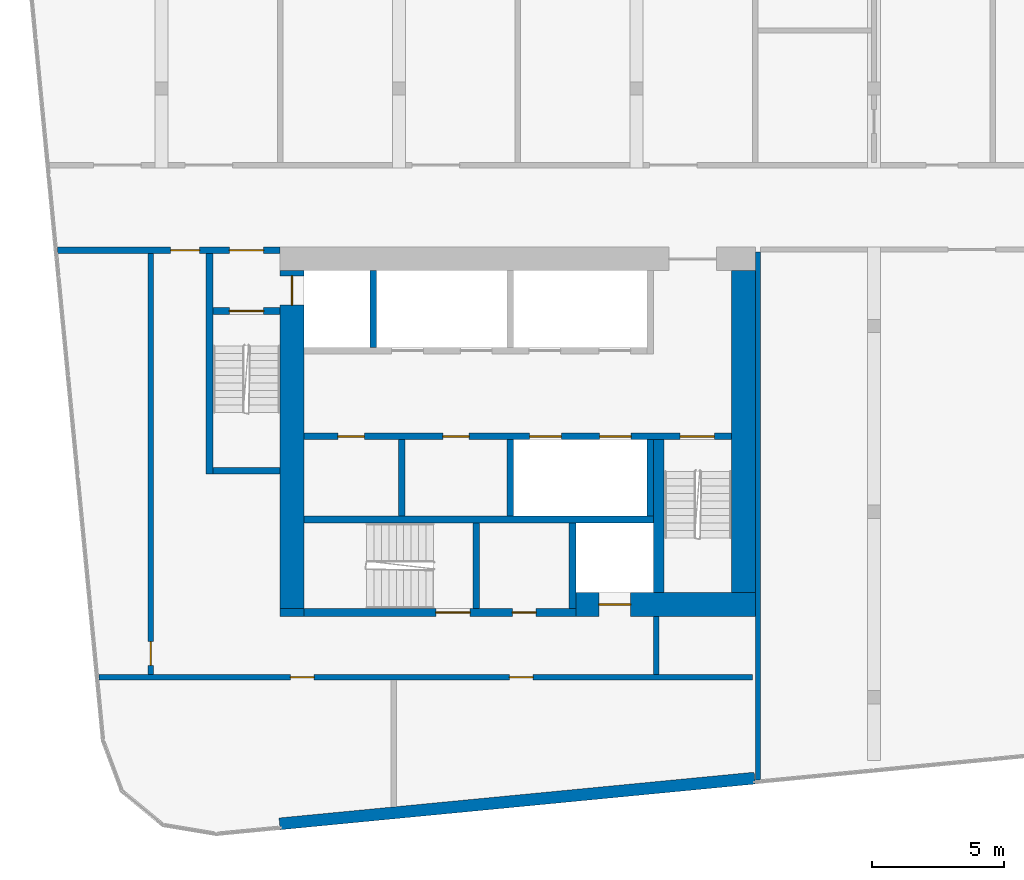
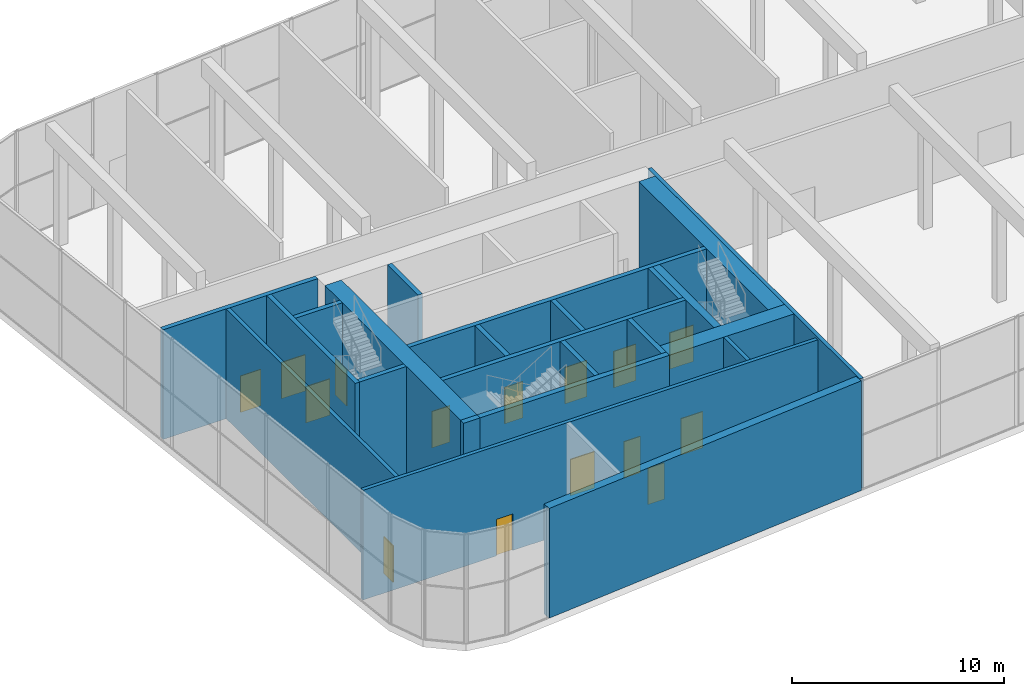
# One storey, part 12 of 24: 23 walls, 15 doors, 15 openings.
"""IFC4 building model written with IfcOpenShell, lengths in metres."""

from ifc_helpers import new_model, si_unit, direction, frame, frame_2d, origin, place, context, subcontext, project, spatial, rectangle, extrude, material, layer, layer_set, type_object, element, fill, save


model = new_model("IFC4")

# Units and contexts
model_context = context("Model", 3, precision=1e-05, world=origin(), true_north=direction((0.0, 1.0)))
body_context = subcontext(model_context, "Body", "Model", "MODEL_VIEW")
ifc_project = project(units=[si_unit("LENGTHUNIT", "METRE"), si_unit("AREAUNIT", "SQUARE_METRE"), si_unit("VOLUMEUNIT", "CUBIC_METRE"), si_unit("PLANEANGLEUNIT", "RADIAN"), si_unit("MASSUNIT", "GRAM", prefix="KILO")], contexts=[model_context])

# Site, building, storey
site_placement = place(None, origin())
site = spatial("IfcSite", under=ifc_project, at=site_placement, CompositionType="ELEMENT")
building_placement = place(site_placement, origin())
building = spatial("IfcBuilding", under=site, at=building_placement, Name="Kajstack Hotel Tower", CompositionType="ELEMENT")
storey_placement = place(building_placement, frame((0.0, 0.0, 261.89990234375)))
storey = spatial("IfcBuildingStorey", under=building, at=storey_placement, Name="L65", CompositionType="ELEMENT", Elevation=261.89990234375)

# Wall, opening, door
ifc_material_1 = material(Name="Concrete C60/75", Category="concrete")
ifc_layer_1 = layer(ifc_material_1, 0.89990234375)
ifc_layer_set_1 = layer_set([ifc_layer_1], Name="Core wall 900")
wall_type_1 = type_object("IfcWallType", Name="Core wall 900", PredefinedType="SHEAR", material=ifc_layer_set_1)
wall_1_placement = place(storey_placement, frame((-20.300048828125, -15.050048828125, 0.0), z_axis=(0.0, 0.0, 1.0), x_axis=(1.0, 0.0, 0.0)))
wall_1 = element("IfcWall", 1, at=wall_1_placement, inside=storey, type_object=wall_type_1, Name="Core wall W RS", PredefinedType="SHEAR", context=body_context, shape_type="SweptSolid", body=[
    extrude(rectangle(XDim=6.800048828125, YDim=0.89990234375, at=frame_2d((3.39990234375, 0.0))), origin(), (0.0, 0.0, 1.0), 6.320068359375),
])
opening_1_placement = place(wall_1_placement, frame((0.875, 0.0, 0.0)))
opening_1 = element("IfcOpeningElement", 2, at=opening_1_placement, cuts=wall_1, Name="Opening LD-SV1", PredefinedType="OPENING", context=body_context, shape_type="SweptSolid", body=[
    extrude(rectangle(XDim=1.199951171875, YDim=2.10009765625, at=frame_2d((0.60009765625, 1.050048828125))), frame((0.0, 0.4599609375, 0.0), z_axis=(0.0, -1.0, 0.0), x_axis=(1.0, 0.0, 0.0)), (0.0, 0.0, 1.0), 0.919921875),
])
ifc_material_2 = material(Name="Stainless steel", Category="steel")
door_type_1 = type_object("IfcDoorType", Name="Lift landing door 1200", OperationType="SLIDING_TO_LEFT", PredefinedType="DOOR", material=ifc_material_2)
door_1_placement = place(opening_1_placement, origin())
door_1 = element("IfcDoor", 3, at=door_1_placement, inside=storey, type_object=door_type_1, Name="Landing door SV1", OperationType="SLIDING_TO_LEFT", OverallHeight=2.10009765625, OverallWidth=1.199951171875, PredefinedType="DOOR", context=body_context, shape_type="SweptSolid", body=[
    extrude(rectangle(XDim=1.199951171875, YDim=2.10009765625, at=frame_2d((0.60009765625, 1.050048828125))), frame((0.0, 0.02490234375, 0.0), z_axis=(0.0, -1.0, 0.0), x_axis=(1.0, 0.0, 0.0)), (0.0, 0.0, 1.0), 0.050048828125),
])
fill(opening_1, door_1)

# Wall
wall_2_placement = place(storey_placement, frame((-31.5, -15.35009765625, 0.0), z_axis=(0.0, 0.0, 1.0), x_axis=(1.0, 0.0, 0.0)))
element("IfcWall", 4, at=wall_2_placement, inside=storey, type_object=wall_type_1, Name="Core wall W RSW", PredefinedType="SHEAR", context=body_context, shape_type="SweptSolid", body=[
    extrude(rectangle(XDim=0.89990234375, YDim=0.300048828125, at=frame_2d((0.449951171875, 0.0))), origin(), (0.0, 0.0, 1.0), 6.320068359375),
])

# Wall, opening, door
wall_3_placement = place(storey_placement, frame((-31.050048828125, -15.199951171875, 0.0), z_axis=(0.0, 0.0, 1.0), x_axis=(0.0, 1.0, 0.0)))
wall_3 = element("IfcWall", 5, at=wall_3_placement, inside=storey, type_object=wall_type_1, Name="Core wall W RW", PredefinedType="SHEAR", context=body_context, shape_type="SweptSolid", body=[
    extrude(rectangle(XDim=12.800048828125, YDim=0.89990234375, at=frame_2d((6.39990234375, 0.0))), origin(), (0.0, 0.0, 1.0), 6.320068359375),
])
opening_2_placement = place(wall_3_placement, frame((11.5, 0.0, 0.0)))
opening_2 = element("IfcOpeningElement", 6, at=opening_2_placement, cuts=wall_3, Name="Opening LD-FF1", PredefinedType="OPENING", context=body_context, shape_type="SweptSolid", body=[
    extrude(rectangle(XDim=1.10009765625, YDim=2.10009765625, at=frame_2d((0.550048828125, 1.050048828125))), frame((0.0, 0.4599609375, 0.0), z_axis=(0.0, -1.0, 0.0), x_axis=(1.0, 0.0, 0.0)), (0.0, 0.0, 1.0), 0.919921875),
])
door_type_2 = type_object("IfcDoorType", Name="Fire-fighting lift landing door 1100", OperationType="SLIDING_TO_LEFT", PredefinedType="DOOR", material=ifc_material_2)
door_2_placement = place(opening_2_placement, origin())
door_2 = element("IfcDoor", 7, at=door_2_placement, inside=storey, type_object=door_type_2, Name="Landing door FF1", OperationType="SLIDING_TO_RIGHT", OverallHeight=2.10009765625, OverallWidth=1.10009765625, PredefinedType="DOOR", context=body_context, shape_type="SweptSolid", body=[
    extrude(rectangle(XDim=1.10009765625, YDim=2.10009765625, at=frame_2d((0.550048828125, 1.050048828125))), frame((0.0, 0.02490234375, 0.0), z_axis=(0.0, -1.0, 0.0), x_axis=(1.0, 0.0, 0.0)), (0.0, 0.0, 1.0), 0.050048828125),
])
fill(opening_2, door_2)

# Walls
wall_4_placement = place(storey_placement, frame((-13.949951171875, -14.60009765625, 0.0), z_axis=(0.0, 0.0, 1.0), x_axis=(0.0, 1.0, 0.0)))
element("IfcWall", 8, at=wall_4_placement, inside=storey, type_object=wall_type_1, Name="Core wall W RE", PredefinedType="SHEAR", context=body_context, shape_type="SweptSolid", body=[
    extrude(rectangle(XDim=12.2001953125, YDim=0.89990234375, at=frame_2d((6.10009765625, 0.0))), origin(), (0.0, 0.0, 1.0), 6.320068359375),
])
ifc_material_3 = material(Name="Concrete C40/50", Category="concrete")
ifc_layer_2 = layer(ifc_material_3, 0.449951171875)
ifc_layer_set_2 = layer_set([ifc_layer_2], Name="EW-CORE")
wall_type_2 = type_object("IfcWallType", Name="EW-CORE", PredefinedType="SOLIDWALL", material=ifc_layer_set_2)
wall_5_placement = place(storey_placement, frame((-31.521484375, -23.357177734375, 0.0), z_axis=(0.0, 0.0, 1.0), x_axis=(0.995396454615, 0.095843091245, 0.0)))
element("IfcWall", 9, at=wall_5_placement, inside=storey, type_object=wall_type_2, Name="E-wall-L65-04-01", PredefinedType="SOLIDWALL", context=body_context, shape_type="SweptSolid", body=[
    extrude(rectangle(XDim=18.083251953125, YDim=0.449951171875, at=frame_2d((9.04150390625, 0.0))), origin(), (0.0, 0.0, 1.0), 6.320068359375),
])
ifc_material_4 = material(Name="Concrete C50/60", Category="concrete")
ifc_layer_3 = layer(ifc_material_4, 0.300048828125)
ifc_layer_set_3 = layer_set([ifc_layer_3], Name="Hoistway divider wall 300")
wall_type_3 = type_object("IfcWallType", Name="Hoistway divider wall 300", PredefinedType="SHEAR", material=ifc_layer_set_3)
wall_6_placement = place(storey_placement, frame((-22.77490234375, -11.699951171875, 0.0), z_axis=(0.0, 0.0, 1.0), x_axis=(0.0, 1.0, 0.0)))
element("IfcWall", 10, at=wall_6_placement, inside=storey, type_object=wall_type_3, Name="Core wall W BP2", PredefinedType="SHEAR", context=body_context, shape_type="SweptSolid", body=[
    extrude(rectangle(XDim=2.89990234375, YDim=0.25, at=frame_2d((1.449951171875, 0.0))), origin(), (0.0, 0.0, 1.0), 6.320068359375),
])
ifc_material_5 = material(Name="Gypsum board on steel studs, mineral wool", Category="steel")
ifc_layer_4 = layer(ifc_material_5, 0.199951171875)
ifc_layer_set_4 = layer_set([ifc_layer_4], Name="Public partition 200")
wall_type_4 = type_object("IfcWallType", Name="Public partition 200", PredefinedType="PARTITIONING", material=ifc_layer_set_4)
wall_7_placement = place(storey_placement, frame((-13.39990234375, -21.687744140625, 0.0), z_axis=(0.0, 0.0, 1.0), x_axis=(0.0, 1.0, 0.0)))
element("IfcWall", 11, at=wall_7_placement, inside=storey, type_object=wall_type_4, Name="Partition SEW", PredefinedType="PARTITIONING", context=body_context, shape_type="SweptSolid", body=[
    extrude(rectangle(XDim=19.98779296875, YDim=0.199951171875, at=frame_2d((9.993896484375, 0.0))), origin(), (0.0, 0.0, 1.0), 6.320068359375),
])
ifc_material_6 = material(Name="Concrete block masonry", Category="masonry")
ifc_layer_5 = layer(ifc_material_6, 0.25)
ifc_layer_set_5 = layer_set([ifc_layer_5], Name="Riser partition 250")
wall_type_5 = type_object("IfcWallType", Name="Riser partition 250", PredefinedType="PARTITIONING", material=ifc_layer_set_5)
wall_8_placement = place(storey_placement, frame((-26.89990234375, -11.699951171875, 0.0), z_axis=(0.0, 0.0, 1.0), x_axis=(0.0, 1.0, 0.0)))
element("IfcWall", 12, at=wall_8_placement, inside=storey, type_object=wall_type_5, Name="Partition W BF0", PredefinedType="PARTITIONING", context=body_context, shape_type="SweptSolid", body=[
    extrude(rectangle(XDim=2.89990234375, YDim=0.25, at=frame_2d((1.449951171875, 0.0))), origin(), (0.0, 0.0, 1.0), 6.320068359375),
])

# Wall, openings, doors
ifc_layer_6 = layer(ifc_material_5, 0.199951171875)
ifc_layer_set_6 = layer_set([ifc_layer_6], Name="Service partition 200")
wall_type_6 = type_object("IfcWallType", Name="Service partition 200", PredefinedType="PARTITIONING", material=ifc_layer_set_6)
wall_9_placement = place(storey_placement, frame((-39.9287109375, -1.625, 0.0), z_axis=(0.0, 0.0, 1.0), x_axis=(1.0, 0.0, 0.0)))
wall_9 = element("IfcWall", 13, at=wall_9_placement, inside=storey, type_object=wall_type_6, Name="Partition W SN", PredefinedType="PARTITIONING", context=body_context, shape_type="SweptSolid", body=[
    extrude(rectangle(XDim=8.4287109375, YDim=0.25, at=frame_2d((4.21435546875, 0.0))), origin(), (0.0, 0.0, 1.0), 6.320068359375),
])
opening_3_placement = place(wall_9_placement, frame((6.503662109375, 0.0, 0.0)))
opening_3 = element("IfcOpeningElement", 14, at=opening_3_placement, cuts=wall_9, Name="Opening 65W10", PredefinedType="OPENING", context=body_context, shape_type="SweptSolid", body=[
    extrude(rectangle(XDim=1.300048828125, YDim=2.10009765625, at=frame_2d((0.64990234375, 1.050048828125))), frame((0.0, 0.135009765625, 0.0), z_axis=(0.0, -1.0, 0.0), x_axis=(1.0, 0.0, 0.0)), (0.0, 0.0, 1.0), 0.27001953125),
])
opening_4_placement = place(wall_9_placement, frame((4.27880859375, 0.0, 0.0)))
opening_4 = element("IfcOpeningElement", 15, at=opening_4_placement, cuts=wall_9, Name="Opening 65W12", PredefinedType="OPENING", context=body_context, shape_type="SweptSolid", body=[
    extrude(rectangle(XDim=1.10009765625, YDim=2.10009765625, at=frame_2d((0.550048828125, 1.050048828125))), frame((0.0, 0.135009765625, 0.0), z_axis=(0.0, -1.0, 0.0), x_axis=(1.0, 0.0, 0.0)), (0.0, 0.0, 1.0), 0.27001953125),
])
ifc_material_7 = material(Name="Steel leaf, fire-rated", Category="steel")
door_type_3 = type_object("IfcDoorType", Name="Fire lobby door 1300", OperationType="SINGLE_SWING_LEFT", PredefinedType="DOOR", material=ifc_material_7)
door_3_placement = place(opening_3_placement, origin())
door_3 = element("IfcDoor", 16, at=door_3_placement, inside=storey, type_object=door_type_3, Name="Door 65W10", OperationType="SINGLE_SWING_RIGHT", OverallHeight=2.10009765625, OverallWidth=1.300048828125, PredefinedType="DOOR", context=body_context, shape_type="SweptSolid", body=[
    extrude(rectangle(XDim=1.300048828125, YDim=2.10009765625, at=frame_2d((0.64990234375, 1.050048828125))), frame((0.0, 0.02490234375, 0.0), z_axis=(0.0, -1.0, 0.0), x_axis=(1.0, 0.0, 0.0)), (0.0, 0.0, 1.0), 0.050048828125),
])
fill(opening_3, door_3)
ifc_material_8 = material(Name="Timber leaf, fire-rated", Category="wood")
door_type_4 = type_object("IfcDoorType", Name="Service corridor door 1100", OperationType="SINGLE_SWING_LEFT", PredefinedType="DOOR", material=ifc_material_8)
door_4_placement = place(opening_4_placement, origin())
door_4 = element("IfcDoor", 17, at=door_4_placement, inside=storey, type_object=door_type_4, Name="Door 65W12", OperationType="SINGLE_SWING_RIGHT", OverallHeight=2.10009765625, OverallWidth=1.10009765625, PredefinedType="DOOR", context=body_context, shape_type="SweptSolid", body=[
    extrude(rectangle(XDim=1.10009765625, YDim=2.10009765625, at=frame_2d((0.550048828125, 1.050048828125))), frame((0.0, 0.02490234375, 0.0), z_axis=(0.0, -1.0, 0.0), x_axis=(1.0, 0.0, 0.0)), (0.0, 0.0, 1.0), 0.050048828125),
])
fill(opening_4, door_4)

# Wall
wall_10_placement = place(storey_placement, frame((-17.25, -17.699951171875, 0.0), z_axis=(0.0, 0.0, 1.0), x_axis=(0.0, 1.0, 0.0)))
element("IfcWall", 18, at=wall_10_placement, inside=storey, type_object=wall_type_6, Name="Partition W SCE", PredefinedType="PARTITIONING", context=body_context, shape_type="SweptSolid", body=[
    extrude(rectangle(XDim=2.199951171875, YDim=0.199951171875, at=frame_2d((1.10009765625, 0.0))), origin(), (0.0, 0.0, 1.0), 6.320068359375),
])

# Wall, opening, door
wall_11_placement = place(storey_placement, frame((-36.39990234375, -17.699951171875, 0.0), z_axis=(0.0, 0.0, 1.0), x_axis=(0.0, 1.0, 0.0)))
wall_11 = element("IfcWall", 19, at=wall_11_placement, inside=storey, type_object=wall_type_6, Name="Partition W WRE", PredefinedType="PARTITIONING", context=body_context, shape_type="SweptSolid", body=[
    extrude(rectangle(XDim=15.949951171875, YDim=0.199951171875, at=frame_2d((7.97509765625, 0.0))), origin(), (0.0, 0.0, 1.0), 6.320068359375),
])
opening_5_placement = place(wall_11_placement, frame((0.35009765625, 0.0, 0.0)))
opening_5 = element("IfcOpeningElement", 20, at=opening_5_placement, cuts=wall_11, Name="Opening 65W20", PredefinedType="OPENING", context=body_context, shape_type="SweptSolid", body=[
    extrude(rectangle(XDim=0.89990234375, YDim=2.10009765625, at=frame_2d((0.449951171875, 1.050048828125))), frame((0.0, 0.10986328125, 0.0), z_axis=(0.0, -1.0, 0.0), x_axis=(1.0, 0.0, 0.0)), (0.0, 0.0, 1.0), 0.219970703125),
])
door_type_5 = type_object("IfcDoorType", Name="Service door 900", OperationType="SINGLE_SWING_LEFT", PredefinedType="DOOR", material=ifc_material_8)
door_5_placement = place(opening_5_placement, origin())
door_5 = element("IfcDoor", 21, at=door_5_placement, inside=storey, type_object=door_type_5, Name="Door 65W20", OperationType="SINGLE_SWING_LEFT", OverallHeight=2.10009765625, OverallWidth=0.89990234375, PredefinedType="DOOR", context=body_context, shape_type="SweptSolid", body=[
    extrude(rectangle(XDim=0.89990234375, YDim=2.10009765625, at=frame_2d((0.449951171875, 1.050048828125))), frame((0.0, 0.02490234375, 0.0), z_axis=(0.0, -1.0, 0.0), x_axis=(1.0, 0.0, 0.0)), (0.0, 0.0, 1.0), 0.050048828125),
])
fill(opening_5, door_5)

# Wall, openings, doors
wall_12_placement = place(storey_placement, frame((-38.37109375, -17.800048828125, 0.0), z_axis=(0.0, 0.0, 1.0), x_axis=(1.0, 0.0, 0.0)))
wall_12 = element("IfcWall", 22, at=wall_12_placement, inside=storey, type_object=wall_type_6, Name="Partition W SLN", PredefinedType="PARTITIONING", context=body_context, shape_type="SweptSolid", body=[
    extrude(rectangle(XDim=24.77099609375, YDim=0.199951171875, at=frame_2d((12.385498046875, 0.0))), origin(), (0.0, 0.0, 1.0), 6.320068359375),
])
opening_6_placement = place(wall_12_placement, frame((7.2587890625, 0.0, 0.0)))
opening_6 = element("IfcOpeningElement", 23, at=opening_6_placement, cuts=wall_12, Name="Opening 65W18", PredefinedType="OPENING", context=body_context, shape_type="SweptSolid", body=[
    extrude(rectangle(XDim=0.89990234375, YDim=2.10009765625, at=frame_2d((0.449951171875, 1.050048828125))), frame((0.0, 0.10986328125, 0.0), z_axis=(0.0, -1.0, 0.0), x_axis=(1.0, 0.0, 0.0)), (0.0, 0.0, 1.0), 0.219970703125),
])
opening_7_placement = place(wall_12_placement, frame((15.55859375, 0.0, 0.0)))
opening_7 = element("IfcOpeningElement", 24, at=opening_7_placement, cuts=wall_12, Name="Opening 65W19", PredefinedType="OPENING", context=body_context, shape_type="SweptSolid", body=[
    extrude(rectangle(XDim=0.89990234375, YDim=2.10009765625, at=frame_2d((0.449951171875, 1.050048828125))), frame((0.0, 0.10986328125, 0.0), z_axis=(0.0, -1.0, 0.0), x_axis=(1.0, 0.0, 0.0)), (0.0, 0.0, 1.0), 0.219970703125),
])
door_6_placement = place(opening_6_placement, origin())
door_6 = element("IfcDoor", 25, at=door_6_placement, inside=storey, type_object=door_type_5, Name="Door 65W18", OperationType="SINGLE_SWING_RIGHT", OverallHeight=2.10009765625, OverallWidth=0.89990234375, PredefinedType="DOOR", context=body_context, shape_type="SweptSolid", body=[
    extrude(rectangle(XDim=0.89990234375, YDim=2.10009765625, at=frame_2d((0.449951171875, 1.050048828125))), frame((0.0, 0.02490234375, 0.0), z_axis=(0.0, -1.0, 0.0), x_axis=(1.0, 0.0, 0.0)), (0.0, 0.0, 1.0), 0.050048828125),
])
fill(opening_6, door_6)
door_7_placement = place(opening_7_placement, origin())
door_7 = element("IfcDoor", 26, at=door_7_placement, inside=storey, type_object=door_type_5, Name="Door 65W19", OperationType="SINGLE_SWING_RIGHT", OverallHeight=2.10009765625, OverallWidth=0.89990234375, PredefinedType="DOOR", context=body_context, shape_type="SweptSolid", body=[
    extrude(rectangle(XDim=0.89990234375, YDim=2.10009765625, at=frame_2d((0.449951171875, 1.050048828125))), frame((0.0, 0.02490234375, 0.0), z_axis=(0.0, -1.0, 0.0), x_axis=(1.0, 0.0, 0.0)), (0.0, 0.0, 1.0), 0.050048828125),
])
fill(opening_7, door_7)

ifc_layer_7 = layer(ifc_material_4, 0.25)
ifc_layer_set_7 = layer_set([ifc_layer_7], Name="Shaft wall 250")
wall_type_7 = type_object("IfcWallType", Name="Shaft wall 250", PredefinedType="SHEAR", material=ifc_layer_set_7)
wall_13_placement = place(storey_placement, frame((-30.60009765625, -15.35009765625, 0.0), z_axis=(0.0, 0.0, 1.0), x_axis=(1.0, 0.0, 0.0)))
wall_13 = element("IfcWall", 27, at=wall_13_placement, inside=storey, type_object=wall_type_7, Name="Core wall W RSS", PredefinedType="SHEAR", context=body_context, shape_type="SweptSolid", body=[
    extrude(rectangle(XDim=10.300048828125, YDim=0.300048828125, at=frame_2d((5.14990234375, 0.0))), origin(), (0.0, 0.0, 1.0), 6.320068359375),
])
opening_8_placement = place(wall_13_placement, frame((5.0, 0.0, 0.0)))
opening_8 = element("IfcOpeningElement", 28, at=opening_8_placement, cuts=wall_13, Name="Opening 65W14", PredefinedType="OPENING", context=body_context, shape_type="SweptSolid", body=[
    extrude(rectangle(XDim=1.300048828125, YDim=2.10009765625, at=frame_2d((0.64990234375, 1.050048828125))), frame((0.0, 0.159912109375, 0.0), z_axis=(0.0, -1.0, 0.0), x_axis=(1.0, 0.0, 0.0)), (0.0, 0.0, 1.0), 0.320068359375),
])
opening_9_placement = place(wall_13_placement, frame((7.89990234375, 0.0, 0.0)))
opening_9 = element("IfcOpeningElement", 29, at=opening_9_placement, cuts=wall_13, Name="Opening 65W15", PredefinedType="OPENING", context=body_context, shape_type="SweptSolid", body=[
    extrude(rectangle(XDim=0.89990234375, YDim=2.10009765625, at=frame_2d((0.449951171875, 1.050048828125))), frame((0.0, 0.159912109375, 0.0), z_axis=(0.0, -1.0, 0.0), x_axis=(1.0, 0.0, 0.0)), (0.0, 0.0, 1.0), 0.320068359375),
])
door_8_placement = place(opening_9_placement, origin())
door_8 = element("IfcDoor", 30, at=door_8_placement, inside=storey, type_object=door_type_5, Name="Door 65W15", OperationType="SINGLE_SWING_LEFT", OverallHeight=2.10009765625, OverallWidth=0.89990234375, PredefinedType="DOOR", context=body_context, shape_type="SweptSolid", body=[
    extrude(rectangle(XDim=0.89990234375, YDim=2.10009765625, at=frame_2d((0.449951171875, 1.050048828125))), frame((0.0, 0.02490234375, 0.0), z_axis=(0.0, -1.0, 0.0), x_axis=(1.0, 0.0, 0.0)), (0.0, 0.0, 1.0), 0.050048828125),
])
fill(opening_9, door_8)
door_type_6 = type_object("IfcDoorType", Name="Stair door 1300", OperationType="SINGLE_SWING_LEFT", PredefinedType="DOOR", material=ifc_material_7)
door_9_placement = place(opening_8_placement, origin())
door_9 = element("IfcDoor", 31, at=door_9_placement, inside=storey, type_object=door_type_6, Name="Door 65W14", OperationType="SINGLE_SWING_RIGHT", OverallHeight=2.10009765625, OverallWidth=1.300048828125, PredefinedType="DOOR", context=body_context, shape_type="SweptSolid", body=[
    extrude(rectangle(XDim=1.300048828125, YDim=2.10009765625, at=frame_2d((0.64990234375, 1.050048828125))), frame((0.0, 0.02490234375, 0.0), z_axis=(0.0, -1.0, 0.0), x_axis=(1.0, 0.0, 0.0)), (0.0, 0.0, 1.0), 0.050048828125),
])
fill(opening_8, door_9)

# Wall
wall_14_placement = place(storey_placement, frame((-27.97509765625, -5.300048828125, 0.0), z_axis=(0.0, 0.0, 1.0), x_axis=(0.0, 1.0, 0.0)))
element("IfcWall", 32, at=wall_14_placement, inside=storey, type_object=wall_type_7, Name="Core wall W AP0", PredefinedType="SHEAR", context=body_context, shape_type="SweptSolid", body=[
    extrude(rectangle(XDim=2.900146484375, YDim=0.25, at=frame_2d((1.4501953125, 0.0))), origin(), (0.0, 0.0, 1.0), 6.320068359375),
])

# Wall, openings, doors
wall_15_placement = place(storey_placement, frame((-30.60009765625, -8.675048828125, 0.0), z_axis=(0.0, 0.0, 1.0), x_axis=(1.0, 0.0, 0.0)))
wall_15 = element("IfcWall", 33, at=wall_15_placement, inside=storey, type_object=wall_type_7, Name="Core wall W FB", PredefinedType="SHEAR", context=body_context, shape_type="SweptSolid", body=[
    extrude(rectangle(XDim=16.2001953125, YDim=0.25, at=frame_2d((8.10009765625, 0.0))), origin(), (0.0, 0.0, 1.0), 6.320068359375),
])
opening_10_placement = place(wall_15_placement, frame((8.550048828125, 0.0, 0.0)))
opening_10 = element("IfcOpeningElement", 34, at=opening_10_placement, cuts=wall_15, Name="Opening LD-MR1", PredefinedType="OPENING", context=body_context, shape_type="SweptSolid", body=[
    extrude(rectangle(XDim=1.199951171875, YDim=2.10009765625, at=frame_2d((0.60009765625, 1.050048828125))), frame((0.0, 0.135009765625, 0.0), z_axis=(0.0, -1.0, 0.0), x_axis=(1.0, 0.0, 0.0)), (0.0, 0.0, 1.0), 0.27001953125),
])
opening_11_placement = place(wall_15_placement, frame((11.199951171875, 0.0, 0.0)))
opening_11 = element("IfcOpeningElement", 35, at=opening_11_placement, cuts=wall_15, Name="Opening LD-MR2", PredefinedType="OPENING", context=body_context, shape_type="SweptSolid", body=[
    extrude(rectangle(XDim=1.199951171875, YDim=2.10009765625, at=frame_2d((0.60009765625, 1.050048828125))), frame((0.0, 0.135009765625, 0.0), z_axis=(0.0, -1.0, 0.0), x_axis=(1.0, 0.0, 0.0)), (0.0, 0.0, 1.0), 0.27001953125),
])
opening_12_placement = place(wall_15_placement, frame((14.25, 0.0, 0.0)))
opening_12 = element("IfcOpeningElement", 36, at=opening_12_placement, cuts=wall_15, Name="Opening 65W13", PredefinedType="OPENING", context=body_context, shape_type="SweptSolid", body=[
    extrude(rectangle(XDim=1.300048828125, YDim=2.10009765625, at=frame_2d((0.64990234375, 1.050048828125))), frame((0.0, 0.135009765625, 0.0), z_axis=(0.0, -1.0, 0.0), x_axis=(1.0, 0.0, 0.0)), (0.0, 0.0, 1.0), 0.27001953125),
])
opening_13_placement = place(wall_15_placement, frame((1.28759765625, 0.0, 0.0)))
opening_13 = element("IfcOpeningElement", 37, at=opening_13_placement, cuts=wall_15, Name="Opening 65W16", PredefinedType="OPENING", context=body_context, shape_type="SweptSolid", body=[
    extrude(rectangle(XDim=1.0, YDim=2.10009765625, at=frame_2d((0.5, 1.050048828125))), frame((0.0, 0.135009765625, 0.0), z_axis=(0.0, -1.0, 0.0), x_axis=(1.0, 0.0, 0.0)), (0.0, 0.0, 1.0), 0.27001953125),
])
opening_14_placement = place(wall_15_placement, frame((5.262451171875, 0.0, 0.0)))
opening_14 = element("IfcOpeningElement", 38, at=opening_14_placement, cuts=wall_15, Name="Opening 65W17", PredefinedType="OPENING", context=body_context, shape_type="SweptSolid", body=[
    extrude(rectangle(XDim=1.0, YDim=2.10009765625, at=frame_2d((0.5, 1.050048828125))), frame((0.0, 0.135009765625, 0.0), z_axis=(0.0, -1.0, 0.0), x_axis=(1.0, 0.0, 0.0)), (0.0, 0.0, 1.0), 0.27001953125),
])
door_10_placement = place(opening_10_placement, origin())
door_10 = element("IfcDoor", 39, at=door_10_placement, inside=storey, type_object=door_type_1, Name="Landing door MR1", OperationType="SLIDING_TO_LEFT", OverallHeight=2.10009765625, OverallWidth=1.199951171875, PredefinedType="DOOR", context=body_context, shape_type="SweptSolid", body=[
    extrude(rectangle(XDim=1.199951171875, YDim=2.10009765625, at=frame_2d((0.60009765625, 1.050048828125))), frame((0.0, 0.02490234375, 0.0), z_axis=(0.0, -1.0, 0.0), x_axis=(1.0, 0.0, 0.0)), (0.0, 0.0, 1.0), 0.050048828125),
])
fill(opening_10, door_10)
door_11_placement = place(opening_11_placement, origin())
door_11 = element("IfcDoor", 40, at=door_11_placement, inside=storey, type_object=door_type_1, Name="Landing door MR2", OperationType="SLIDING_TO_RIGHT", OverallHeight=2.10009765625, OverallWidth=1.199951171875, PredefinedType="DOOR", context=body_context, shape_type="SweptSolid", body=[
    extrude(rectangle(XDim=1.199951171875, YDim=2.10009765625, at=frame_2d((0.60009765625, 1.050048828125))), frame((0.0, 0.02490234375, 0.0), z_axis=(0.0, -1.0, 0.0), x_axis=(1.0, 0.0, 0.0)), (0.0, 0.0, 1.0), 0.050048828125),
])
fill(opening_11, door_11)
door_type_7 = type_object("IfcDoorType", Name="Service room door 1000", OperationType="SINGLE_SWING_LEFT", PredefinedType="DOOR", material=ifc_material_8)
door_12_placement = place(opening_13_placement, origin())
door_12 = element("IfcDoor", 41, at=door_12_placement, inside=storey, type_object=door_type_7, Name="Door 65W16", OperationType="SINGLE_SWING_RIGHT", OverallHeight=2.10009765625, OverallWidth=1.0, PredefinedType="DOOR", context=body_context, shape_type="SweptSolid", body=[
    extrude(rectangle(XDim=1.0, YDim=2.10009765625, at=frame_2d((0.5, 1.050048828125))), frame((0.0, 0.02490234375, 0.0), z_axis=(0.0, -1.0, 0.0), x_axis=(1.0, 0.0, 0.0)), (0.0, 0.0, 1.0), 0.050048828125),
])
fill(opening_13, door_12)
door_13_placement = place(opening_14_placement, origin())
door_13 = element("IfcDoor", 42, at=door_13_placement, inside=storey, type_object=door_type_7, Name="Door 65W17", OperationType="SINGLE_SWING_RIGHT", OverallHeight=2.10009765625, OverallWidth=1.0, PredefinedType="DOOR", context=body_context, shape_type="SweptSolid", body=[
    extrude(rectangle(XDim=1.0, YDim=2.10009765625, at=frame_2d((0.5, 1.050048828125))), frame((0.0, 0.02490234375, 0.0), z_axis=(0.0, -1.0, 0.0), x_axis=(1.0, 0.0, 0.0)), (0.0, 0.0, 1.0), 0.050048828125),
])
fill(opening_14, door_13)
door_14_placement = place(opening_12_placement, origin())
door_14 = element("IfcDoor", 43, at=door_14_placement, inside=storey, type_object=door_type_6, Name="Door 65W13", OperationType="SINGLE_SWING_RIGHT", OverallHeight=2.10009765625, OverallWidth=1.300048828125, PredefinedType="DOOR", context=body_context, shape_type="SweptSolid", body=[
    extrude(rectangle(XDim=1.300048828125, YDim=2.10009765625, at=frame_2d((0.64990234375, 1.050048828125))), frame((0.0, 0.02490234375, 0.0), z_axis=(0.0, -1.0, 0.0), x_axis=(1.0, 0.0, 0.0)), (0.0, 0.0, 1.0), 0.050048828125),
])
fill(opening_12, door_14)

# Walls
wall_16_placement = place(storey_placement, frame((-30.60009765625, -11.824951171875, 0.0), z_axis=(0.0, 0.0, 1.0), x_axis=(1.0, 0.0, 0.0)))
element("IfcWall", 44, at=wall_16_placement, inside=storey, type_object=wall_type_7, Name="Core wall W RB", PredefinedType="SHEAR", context=body_context, shape_type="SweptSolid", body=[
    extrude(rectangle(XDim=13.25, YDim=0.25, at=frame_2d((6.625, 0.0))), origin(), (0.0, 0.0, 1.0), 6.320068359375),
])
wall_17_placement = place(storey_placement, frame((-17.47509765625, -11.699951171875, 0.0), z_axis=(0.0, 0.0, 1.0), x_axis=(0.0, 1.0, 0.0)))
element("IfcWall", 45, at=wall_17_placement, inside=storey, type_object=wall_type_7, Name="Core wall W BE", PredefinedType="SHEAR", context=body_context, shape_type="SweptSolid", body=[
    extrude(rectangle(XDim=2.89990234375, YDim=0.25, at=frame_2d((1.449951171875, 0.0))), origin(), (0.0, 0.0, 1.0), 6.320068359375),
])
wall_18_placement = place(storey_placement, frame((-20.425048828125, -15.199951171875, 0.0), z_axis=(0.0, 0.0, 1.0), x_axis=(0.0, 1.0, 0.0)))
element("IfcWall", 46, at=wall_18_placement, inside=storey, type_object=wall_type_7, Name="Core wall W SVW", PredefinedType="SHEAR", context=body_context, shape_type="SweptSolid", body=[
    extrude(rectangle(XDim=3.25, YDim=0.25, at=frame_2d((1.625, 0.0))), origin(), (0.0, 0.0, 1.0), 6.320068359375),
])

# Wall, opening, door
ifc_layer_8 = layer(ifc_material_3, 0.25)
ifc_layer_set_8 = layer_set([ifc_layer_8], Name="Stair enclosure wall 250")
wall_type_8 = type_object("IfcWallType", Name="Stair enclosure wall 250", PredefinedType="SHEAR", material=ifc_layer_set_8)
wall_19_placement = place(storey_placement, frame((-34.050048828125, -3.925048828125, 0.0), z_axis=(0.0, 0.0, 1.0), x_axis=(1.0, 0.0, 0.0)))
wall_19 = element("IfcWall", 47, at=wall_19_placement, inside=storey, type_object=wall_type_8, Name="Core wall W W1N", PredefinedType="SHEAR", context=body_context, shape_type="SweptSolid", body=[
    extrude(rectangle(XDim=2.550048828125, YDim=0.25, at=frame_2d((1.27490234375, 0.0))), origin(), (0.0, 0.0, 1.0), 6.320068359375),
])
opening_15_placement = place(wall_19_placement, frame((0.625, 0.0, 0.0)))
opening_15 = element("IfcOpeningElement", 48, at=opening_15_placement, cuts=wall_19, Name="Opening 65W11", PredefinedType="OPENING", context=body_context, shape_type="SweptSolid", body=[
    extrude(rectangle(XDim=1.300048828125, YDim=2.10009765625, at=frame_2d((0.64990234375, 1.050048828125))), frame((0.0, 0.135009765625, 0.0), z_axis=(0.0, -1.0, 0.0), x_axis=(1.0, 0.0, 0.0)), (0.0, 0.0, 1.0), 0.27001953125),
])
door_15_placement = place(opening_15_placement, origin())
door_15 = element("IfcDoor", 49, at=door_15_placement, inside=storey, type_object=door_type_6, Name="Door 65W11", OperationType="SINGLE_SWING_RIGHT", OverallHeight=2.10009765625, OverallWidth=1.300048828125, PredefinedType="DOOR", context=body_context, shape_type="SweptSolid", body=[
    extrude(rectangle(XDim=1.300048828125, YDim=2.10009765625, at=frame_2d((0.64990234375, 1.050048828125))), frame((0.0, 0.02490234375, 0.0), z_axis=(0.0, -1.0, 0.0), x_axis=(1.0, 0.0, 0.0)), (0.0, 0.0, 1.0), 0.050048828125),
])
fill(opening_15, door_15)

# Walls
wall_20_placement = place(storey_placement, frame((-34.175048828125, -10.10009765625, 0.0), z_axis=(0.0, 0.0, 1.0), x_axis=(0.0, 1.0, 0.0)))
element("IfcWall", 50, at=wall_20_placement, inside=storey, type_object=wall_type_8, Name="Core wall W W1W", PredefinedType="SHEAR", context=body_context, shape_type="SweptSolid", body=[
    extrude(rectangle(XDim=8.35009765625, YDim=0.25, at=frame_2d((4.175048828125, 0.0))), origin(), (0.0, 0.0, 1.0), 6.320068359375),
])
wall_21_placement = place(storey_placement, frame((-34.050048828125, -9.97509765625, 0.0), z_axis=(0.0, 0.0, 1.0), x_axis=(1.0, 0.0, 0.0)))
element("IfcWall", 51, at=wall_21_placement, inside=storey, type_object=wall_type_8, Name="Core wall W W1S", PredefinedType="SHEAR", context=body_context, shape_type="SweptSolid", body=[
    extrude(rectangle(XDim=2.550048828125, YDim=0.25, at=frame_2d((1.27490234375, 0.0))), origin(), (0.0, 0.0, 1.0), 6.320068359375),
])
ifc_layer_9 = layer(ifc_material_4, 0.35009765625)
ifc_layer_set_9 = layer_set([ifc_layer_9], Name="Stair enclosure wall 350")
wall_type_9 = type_object("IfcWallType", Name="Stair enclosure wall 350", PredefinedType="SHEAR", material=ifc_layer_set_9)
wall_22_placement = place(storey_placement, frame((-24.074951171875, -15.199951171875, 0.0), z_axis=(0.0, 0.0, 1.0), x_axis=(0.0, 1.0, 0.0)))
element("IfcWall", 52, at=wall_22_placement, inside=storey, type_object=wall_type_9, Name="Core wall W W3E", PredefinedType="SHEAR", context=body_context, shape_type="SweptSolid", body=[
    extrude(rectangle(XDim=3.25, YDim=0.25, at=frame_2d((1.625, 0.0))), origin(), (0.0, 0.0, 1.0), 6.320068359375),
])
ifc_layer_10 = layer(ifc_material_4, 0.39990234375)
ifc_layer_set_10 = layer_set([ifc_layer_10], Name="Stair wall 400")
wall_type_10 = type_object("IfcWallType", Name="Stair wall 400", PredefinedType="SHEAR", material=ifc_layer_set_10)
wall_23_placement = place(storey_placement, frame((-17.14990234375, -14.60009765625, 0.0), z_axis=(0.0, 0.0, 1.0), x_axis=(0.0, 1.0, 0.0)))
element("IfcWall", 53, at=wall_23_placement, inside=storey, type_object=wall_type_10, Name="Core wall W WW2", PredefinedType="SHEAR", context=body_context, shape_type="SweptSolid", body=[
    extrude(rectangle(XDim=5.800048828125, YDim=0.39990234375, at=frame_2d((2.89990234375, 0.0))), origin(), (0.0, 0.0, 1.0), 6.320068359375),
])

save(model, "model.ifc")
